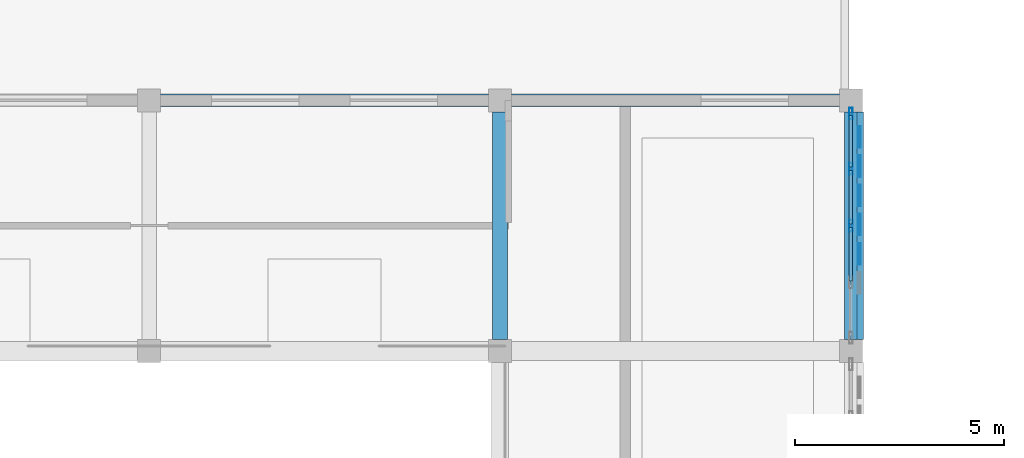
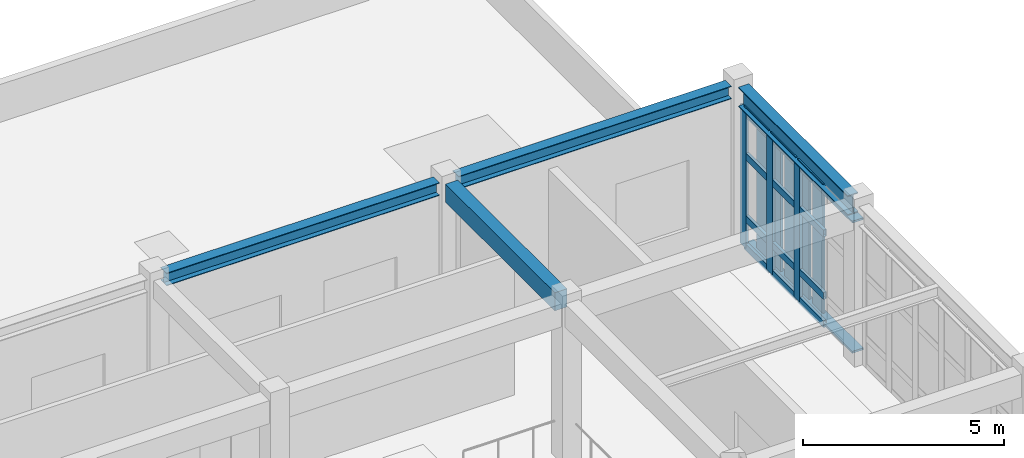
# One storey, part 32 of 77: 22 members, 4 beams, 1 element without a shape of its own.
"""IFC4 building model written with IfcOpenShell, lengths in metres."""

from ifc_helpers import new_model, si_unit, direction, frame, origin, origin_2d, place, context, subcontext, project, spatial, rectangle, hollow_rectangle, i_section, extrude, material, layer, layer_set, material_profile, profile_set, type_object, element, aggregate, save


model = new_model("IFC4")

# Units and contexts
model_context = context("Model", 3, precision=1e-05, world=origin(), true_north=direction((0.0, 1.0)))
body_context = subcontext(model_context, "Body", "Model", "MODEL_VIEW")
ifc_project = project(units=[si_unit("LENGTHUNIT", "METRE"), si_unit("AREAUNIT", "SQUARE_METRE"), si_unit("VOLUMEUNIT", "CUBIC_METRE"), si_unit("PLANEANGLEUNIT", "RADIAN"), si_unit("MASSUNIT", "GRAM", prefix="KILO")], contexts=[model_context])

# Site, building, storey
site_placement = place(None, origin())
site = spatial("IfcSite", under=ifc_project, at=site_placement, CompositionType="ELEMENT")
building_placement = place(site_placement, origin())
building = spatial("IfcBuilding", under=site, at=building_placement, Name="Krzemoval Escarpment Law Courts", CompositionType="ELEMENT")
storey_placement = place(building_placement, frame((0.0, 0.0, 15.300048828125)))
storey = spatial("IfcBuildingStorey", under=building, at=storey_placement, Name="L03", CompositionType="ELEMENT", Elevation=15.300048828125)

# Beam
ifc_material_1 = material(Name="Concrete C40/50", Category="concrete")
ifc_material_profile_1 = material_profile(ifc_material_1, rectangle(XDim=0.35009765625, YDim=0.550048828125, at=origin_2d()), Name="RCB 350x550")
ifc_profile_set_1 = profile_set([ifc_material_profile_1], Name="Concrete C40/50")
beam_type_1 = type_object("IfcBeamType", Name="BM-RC-350x550", PredefinedType="BEAM", material=ifc_profile_set_1)
beam_1_placement = place(storey_placement, frame((33.60009765625, 93.875, 4.56494140625), z_axis=(0.0, 1.0, 0.0), x_axis=(-1.0, 0.0, 0.0)))
element("IfcBeam", 1, at=beam_1_placement, inside=storey, type_object=beam_type_1, Name="Beam FG-L03-2258", PredefinedType="BEAM", context=body_context, shape_type="SweptSolid", body=[
    extrude(rectangle(XDim=0.35009765625, YDim=0.550048828125, at=origin_2d()), origin(), (0.0, 0.0, 1.0), 5.449951171875),
])

# Curtain wall, members
ifc_material_2 = material(Name="Aluminium 6063-T6", Category="aluminium")
ifc_layer = layer(ifc_material_2, 0.280029296875)
ifc_layer_set = layer_set([ifc_layer], Name="Aluminium 6063-T6")
curtain_wall_type = type_object("IfcCurtainWallType", Name="CW-HALL-5100", PredefinedType="USERDEFINED", material=ifc_layer_set)
curtain_wall_placement = place(storey_placement, origin())
curtain_wall = element("IfcCurtainWall", 2, at=curtain_wall_placement, inside=storey, type_object=curtain_wall_type, Name="Unitised Curtain Wall FCW-L03-105", ObjectType="UNITISED_CURTAIN_WALL", PredefinedType="USERDEFINED")
ifc_material_3 = material(Name="Aluminium 6063-T6", Category="aluminium")
ifc_material_profile_2 = material_profile(ifc_material_3, hollow_rectangle(XDim=0.0849609375, YDim=0.280029296875, WallThickness=0.005615234375, at=origin_2d()), Name="ALU M85x280")
ifc_profile_set_2 = profile_set([ifc_material_profile_2], Name="Aluminium 6063-T6")
member_type_1 = type_object("IfcMemberType", Name="CWM-85x280", PredefinedType="MULLION", material=ifc_profile_set_2)
member_1_placement = place(storey_placement, frame((42.0, 99.282470703125, 0.0), z_axis=(0.0, 0.0, 1.0), x_axis=(1.0, 0.0, 0.0)))
member_1 = element("IfcMember", 3, at=member_1_placement, type_object=member_type_1, Name="FCW-L03-105 mullion 1", PredefinedType="MULLION", context=body_context, shape_type="SweptSolid", body=[
    extrude(hollow_rectangle(XDim=0.0849609375, YDim=0.280029296875, WallThickness=0.005615234375, at=origin_2d()), origin(), (0.0, 0.0, 1.0), 4.239990234375),
])
member_2_placement = place(storey_placement, frame((42.0, 97.96240234375, 0.0), z_axis=(0.0, 0.0, 1.0), x_axis=(1.0, 0.0, 0.0)))
member_2 = element("IfcMember", 4, at=member_2_placement, type_object=member_type_1, Name="FCW-L03-105 mullion 2", PredefinedType="MULLION", context=body_context, shape_type="SweptSolid", body=[
    extrude(hollow_rectangle(XDim=0.0849609375, YDim=0.280029296875, WallThickness=0.005615234375, at=origin_2d()), origin(), (0.0, 0.0, 1.0), 4.239990234375),
])
member_3_placement = place(storey_placement, frame((42.0, 96.60009765625, 0.0), z_axis=(0.0, 0.0, 1.0), x_axis=(1.0, 0.0, 0.0)))
member_3 = element("IfcMember", 5, at=member_3_placement, type_object=member_type_1, Name="FCW-L03-105 mullion 3", PredefinedType="MULLION", context=body_context, shape_type="SweptSolid", body=[
    extrude(hollow_rectangle(XDim=0.0849609375, YDim=0.280029296875, WallThickness=0.005615234375, at=origin_2d()), origin(), (0.0, 0.0, 1.0), 4.239990234375),
])
ifc_material_4 = material(Name="Aluminium 6063-T6", Category="aluminium")
ifc_material_profile_3 = material_profile(ifc_material_4, hollow_rectangle(XDim=0.0849609375, YDim=0.2099609375, WallThickness=0.005615234375, at=origin_2d()), Name="ALU T85x210")
ifc_profile_set_3 = profile_set([ifc_material_profile_3], Name="Aluminium 6063-T6")
member_type_2 = type_object("IfcMemberType", Name="CWT-85x210", PredefinedType="USERDEFINED", material=ifc_profile_set_3)
member_4_placement = place(storey_placement, frame((42.0, 99.239990234375, 0.04248046875), z_axis=(0.0, -1.0, 0.0), x_axis=(1.0, 0.0, 0.0)))
member_4 = element("IfcMember", 6, at=member_4_placement, type_object=member_type_2, Name="FCW-L03-105 transom 1.1", ObjectType="TRANSOM", PredefinedType="USERDEFINED", context=body_context, shape_type="SweptSolid", body=[
    extrude(hollow_rectangle(XDim=0.0849609375, YDim=0.2099609375, WallThickness=0.005615234375, at=origin_2d()), origin(), (0.0, 0.0, 1.0), 1.235107421875),
])
member_5_placement = place(storey_placement, frame((42.0, 99.239990234375, 0.89990234375), z_axis=(0.0, -1.0, 0.0), x_axis=(1.0, 0.0, 0.0)))
member_5 = element("IfcMember", 7, at=member_5_placement, type_object=member_type_2, Name="FCW-L03-105 transom 1.2", ObjectType="TRANSOM", PredefinedType="USERDEFINED", context=body_context, shape_type="SweptSolid", body=[
    extrude(hollow_rectangle(XDim=0.0849609375, YDim=0.2099609375, WallThickness=0.005615234375, at=origin_2d()), origin(), (0.0, 0.0, 1.0), 1.235107421875),
])
member_6_placement = place(storey_placement, frame((42.0, 99.239990234375, 2.800048828125), z_axis=(0.0, -1.0, 0.0), x_axis=(1.0, 0.0, 0.0)))
member_6 = element("IfcMember", 8, at=member_6_placement, type_object=member_type_2, Name="FCW-L03-105 transom 1.3", ObjectType="TRANSOM", PredefinedType="USERDEFINED", context=body_context, shape_type="SweptSolid", body=[
    extrude(hollow_rectangle(XDim=0.0849609375, YDim=0.2099609375, WallThickness=0.005615234375, at=origin_2d()), origin(), (0.0, 0.0, 1.0), 1.235107421875),
])
member_7_placement = place(storey_placement, frame((42.0, 99.239990234375, 4.197509765625), z_axis=(0.0, -1.0, 0.0), x_axis=(1.0, 0.0, 0.0)))
member_7 = element("IfcMember", 9, at=member_7_placement, type_object=member_type_2, Name="FCW-L03-105 transom 1.4", ObjectType="TRANSOM", PredefinedType="USERDEFINED", context=body_context, shape_type="SweptSolid", body=[
    extrude(hollow_rectangle(XDim=0.0849609375, YDim=0.2099609375, WallThickness=0.005615234375, at=origin_2d()), origin(), (0.0, 0.0, 1.0), 1.235107421875),
])
member_8_placement = place(storey_placement, frame((42.0, 97.919921875, 0.04248046875), z_axis=(0.0, -1.0, 0.0), x_axis=(1.0, 0.0, 0.0)))
member_8 = element("IfcMember", 10, at=member_8_placement, type_object=member_type_2, Name="FCW-L03-105 transom 2.1", ObjectType="TRANSOM", PredefinedType="USERDEFINED", context=body_context, shape_type="SweptSolid", body=[
    extrude(hollow_rectangle(XDim=0.0849609375, YDim=0.2099609375, WallThickness=0.005615234375, at=origin_2d()), origin(), (0.0, 0.0, 1.0), 1.27734375),
])
member_9_placement = place(storey_placement, frame((42.0, 97.919921875, 0.89990234375), z_axis=(0.0, -1.0, 0.0), x_axis=(1.0, 0.0, 0.0)))
member_9 = element("IfcMember", 11, at=member_9_placement, type_object=member_type_2, Name="FCW-L03-105 transom 2.2", ObjectType="TRANSOM", PredefinedType="USERDEFINED", context=body_context, shape_type="SweptSolid", body=[
    extrude(hollow_rectangle(XDim=0.0849609375, YDim=0.2099609375, WallThickness=0.005615234375, at=origin_2d()), origin(), (0.0, 0.0, 1.0), 1.27734375),
])
member_10_placement = place(storey_placement, frame((42.0, 97.919921875, 2.800048828125), z_axis=(0.0, -1.0, 0.0), x_axis=(1.0, 0.0, 0.0)))
member_10 = element("IfcMember", 12, at=member_10_placement, type_object=member_type_2, Name="FCW-L03-105 transom 2.3", ObjectType="TRANSOM", PredefinedType="USERDEFINED", context=body_context, shape_type="SweptSolid", body=[
    extrude(hollow_rectangle(XDim=0.0849609375, YDim=0.2099609375, WallThickness=0.005615234375, at=origin_2d()), origin(), (0.0, 0.0, 1.0), 1.27734375),
])
member_11_placement = place(storey_placement, frame((42.0, 97.919921875, 4.197509765625), z_axis=(0.0, -1.0, 0.0), x_axis=(1.0, 0.0, 0.0)))
member_11 = element("IfcMember", 13, at=member_11_placement, type_object=member_type_2, Name="FCW-L03-105 transom 2.4", ObjectType="TRANSOM", PredefinedType="USERDEFINED", context=body_context, shape_type="SweptSolid", body=[
    extrude(hollow_rectangle(XDim=0.0849609375, YDim=0.2099609375, WallThickness=0.005615234375, at=origin_2d()), origin(), (0.0, 0.0, 1.0), 1.27734375),
])
member_12_placement = place(storey_placement, frame((42.0, 96.5576171875, 0.04248046875), z_axis=(0.0, -1.0, 0.0), x_axis=(1.0, 0.0, 0.0)))
member_12 = element("IfcMember", 14, at=member_12_placement, type_object=member_type_2, Name="FCW-L03-105 transom 3.1", ObjectType="TRANSOM", PredefinedType="USERDEFINED", context=body_context, shape_type="SweptSolid", body=[
    extrude(hollow_rectangle(XDim=0.0849609375, YDim=0.2099609375, WallThickness=0.005615234375, at=origin_2d()), origin(), (0.0, 0.0, 1.0), 1.277587890625),
])
member_13_placement = place(storey_placement, frame((42.0, 96.5576171875, 0.89990234375), z_axis=(0.0, -1.0, 0.0), x_axis=(1.0, 0.0, 0.0)))
member_13 = element("IfcMember", 15, at=member_13_placement, type_object=member_type_2, Name="FCW-L03-105 transom 3.2", ObjectType="TRANSOM", PredefinedType="USERDEFINED", context=body_context, shape_type="SweptSolid", body=[
    extrude(hollow_rectangle(XDim=0.0849609375, YDim=0.2099609375, WallThickness=0.005615234375, at=origin_2d()), origin(), (0.0, 0.0, 1.0), 1.277587890625),
])
member_14_placement = place(storey_placement, frame((42.0, 96.5576171875, 2.800048828125), z_axis=(0.0, -1.0, 0.0), x_axis=(1.0, 0.0, 0.0)))
member_14 = element("IfcMember", 16, at=member_14_placement, type_object=member_type_2, Name="FCW-L03-105 transom 3.3", ObjectType="TRANSOM", PredefinedType="USERDEFINED", context=body_context, shape_type="SweptSolid", body=[
    extrude(hollow_rectangle(XDim=0.0849609375, YDim=0.2099609375, WallThickness=0.005615234375, at=origin_2d()), origin(), (0.0, 0.0, 1.0), 1.277587890625),
])
member_15_placement = place(storey_placement, frame((42.0, 96.5576171875, 4.197509765625), z_axis=(0.0, -1.0, 0.0), x_axis=(1.0, 0.0, 0.0)))
member_15 = element("IfcMember", 17, at=member_15_placement, type_object=member_type_2, Name="FCW-L03-105 transom 3.4", ObjectType="TRANSOM", PredefinedType="USERDEFINED", context=body_context, shape_type="SweptSolid", body=[
    extrude(hollow_rectangle(XDim=0.0849609375, YDim=0.2099609375, WallThickness=0.005615234375, at=origin_2d()), origin(), (0.0, 0.0, 1.0), 1.277587890625),
])
aggregate(curtain_wall, [member_1, member_2, member_3, member_4, member_5, member_6, member_7, member_8, member_9, member_10, member_11, member_12, member_13, member_14, member_15])

# Members
ifc_material_5 = material(Name="Anodised Aluminium Alloy 6063-T6", Category="aluminium")
ifc_material_profile_4 = material_profile(ifc_material_5, hollow_rectangle(XDim=0.06005859375, YDim=0.320068359375, WallThickness=0.00390625, at=origin_2d()), Name="ALU LVR 60x320")
ifc_profile_set_4 = profile_set([ifc_material_profile_4], Name="Anodised Aluminium Alloy 6063-T6")
member_type_3 = type_object("IfcMemberType", Name="LVR-ALU-320", PredefinedType="USERDEFINED", material=ifc_profile_set_4)
for number, where, z_axis, x_axis, name in (
    (18, (42.139892578125, 99.324951171875, 0.030029296875), (0.0, -1.0, 0.0), (0.0, 0.0, 1.0), "Sunshade Support Rail FSR-L03-0690"),
    (19, (42.139892578125, 99.324951171875, 3.989990234375), (0.0, -1.0, 0.0), (0.0, 0.0, 1.0), "Sunshade Support Rail FSR-L03-0691"),
):
    element("IfcMember", number, at=place(storey_placement, frame(where, z_axis=z_axis, x_axis=x_axis)), inside=storey, type_object=member_type_3, Name=name, ObjectType="SUNSHADE_LOUVRE", PredefinedType="USERDEFINED", context=body_context, shape_type="SweptSolid", body=[
        extrude(hollow_rectangle(XDim=0.06005859375, YDim=0.320068359375, WallThickness=0.00390625, at=origin_2d()), origin(), (0.0, 0.0, 1.0), 5.449951171875),
    ])
ifc_material_6 = material(Name="Anodised Aluminium Alloy 6063-T6", Category="aluminium")
ifc_material_profile_5 = material_profile(ifc_material_6, hollow_rectangle(XDim=0.06494140625, YDim=0.52001953125, WallThickness=0.00439453125, at=origin_2d()), Name="ALU LVR 65x520")
ifc_profile_set_5 = profile_set([ifc_material_profile_5], Name="Anodised Aluminium Alloy 6063-T6")
member_type_4 = type_object("IfcMemberType", Name="LVR-ALU-520", PredefinedType="USERDEFINED", material=ifc_profile_set_5)
for number, where, z_axis, x_axis, name in (
    (20, (42.199951171875, 98.72509765625, 0.06005859375), (0.0, 0.0, 1.0), (1.0, 0.0, 0.0), "Sunshade Louvre Fin FLV-L03-0692"),
    (21, (42.199951171875, 98.02490234375, 0.06005859375), (0.0, 0.0, 1.0), (1.0, 0.0, 0.0), "Sunshade Louvre Fin FLV-L03-0693"),
    (22, (42.199951171875, 97.324951171875, 0.06005859375), (0.0, 0.0, 1.0), (1.0, 0.0, 0.0), "Sunshade Louvre Fin FLV-L03-0694"),
    (23, (42.199951171875, 96.625, 0.06005859375), (0.0, 0.0, 1.0), (1.0, 0.0, 0.0), "Sunshade Louvre Fin FLV-L03-0695"),
    (24, (42.199951171875, 95.925048828125, 0.06005859375), (0.0, 0.0, 1.0), (1.0, 0.0, 0.0), "Sunshade Louvre Fin FLV-L03-0696"),
):
    element("IfcMember", number, at=place(storey_placement, frame(where, z_axis=z_axis, x_axis=x_axis)), inside=storey, type_object=member_type_4, Name=name, ObjectType="SUNSHADE_LOUVRE", PredefinedType="USERDEFINED", context=body_context, shape_type="SweptSolid", body=[
        extrude(hollow_rectangle(XDim=0.06494140625, YDim=0.52001953125, WallThickness=0.00439453125, at=origin_2d()), origin(), (0.0, 0.0, 1.0), 4.179931640625),
    ])

# Beams
ifc_material_7 = material(Name="Steel S355", Category="steel")
ifc_material_profile_6 = material_profile(ifc_material_7, i_section(OverallWidth=0.300048828125, OverallDepth=0.389892578125, WebThickness=0.010986328125, FlangeThickness=0.01904296875, at=origin_2d()), Name="HEA 400")
ifc_profile_set_6 = profile_set([ifc_material_profile_6], Name="Steel S355")
beam_type_2 = type_object("IfcBeamType", Name="SPN-S355-HEA400", PredefinedType="SPANDREL", material=ifc_profile_set_6)
beam_2_placement = place(storey_placement, frame((25.47509765625, 99.60009765625, 4.64501953125), z_axis=(1.0, 0.0, 0.0), x_axis=(0.0, 1.0, 0.0)))
element("IfcBeam", 25, at=beam_2_placement, inside=storey, type_object=beam_type_2, Name="Beam FG-L03-2191", PredefinedType="SPANDREL", context=body_context, shape_type="SweptSolid", body=[
    extrude(i_section(OverallWidth=0.300048828125, OverallDepth=0.389892578125, WebThickness=0.010986328125, FlangeThickness=0.01904296875, at=origin_2d()), origin(), (0.0, 0.0, 1.0), 7.849853515625),
])
beam_3_placement = place(storey_placement, frame((33.875, 99.60009765625, 4.64501953125), z_axis=(1.0, 0.0, 0.0), x_axis=(0.0, 1.0, 0.0)))
element("IfcBeam", 26, at=beam_3_placement, inside=storey, type_object=beam_type_2, Name="Beam FG-L03-2192", PredefinedType="SPANDREL", context=body_context, shape_type="SweptSolid", body=[
    extrude(i_section(OverallWidth=0.300048828125, OverallDepth=0.389892578125, WebThickness=0.010986328125, FlangeThickness=0.01904296875, at=origin_2d()), origin(), (0.0, 0.0, 1.0), 7.85009765625),
])
ifc_material_8 = material(Name="Steel S355", Category="steel")
ifc_material_profile_7 = material_profile(ifc_material_8, i_section(OverallWidth=0.300048828125, OverallDepth=0.60009765625, WebThickness=0.015380859375, FlangeThickness=0.030029296875, at=origin_2d()), Name="HEB 600")
ifc_profile_set_7 = profile_set([ifc_material_profile_7], Name="Steel S355")
beam_type_3 = type_object("IfcBeamType", Name="SPN-S355-HEB600", PredefinedType="SPANDREL", material=ifc_profile_set_7)
beam_4_placement = place(storey_placement, frame((42.0, 93.875, 4.5400390625), z_axis=(0.0, 1.0, 0.0), x_axis=(-1.0, 0.0, 0.0)))
element("IfcBeam", 27, at=beam_4_placement, inside=storey, type_object=beam_type_3, Name="Beam FG-L03-2271", PredefinedType="SPANDREL", context=body_context, shape_type="SweptSolid", body=[
    extrude(i_section(OverallWidth=0.300048828125, OverallDepth=0.60009765625, WebThickness=0.015380859375, FlangeThickness=0.030029296875, at=origin_2d()), origin(), (0.0, 0.0, 1.0), 5.449951171875),
])

save(model, "model.ifc")
